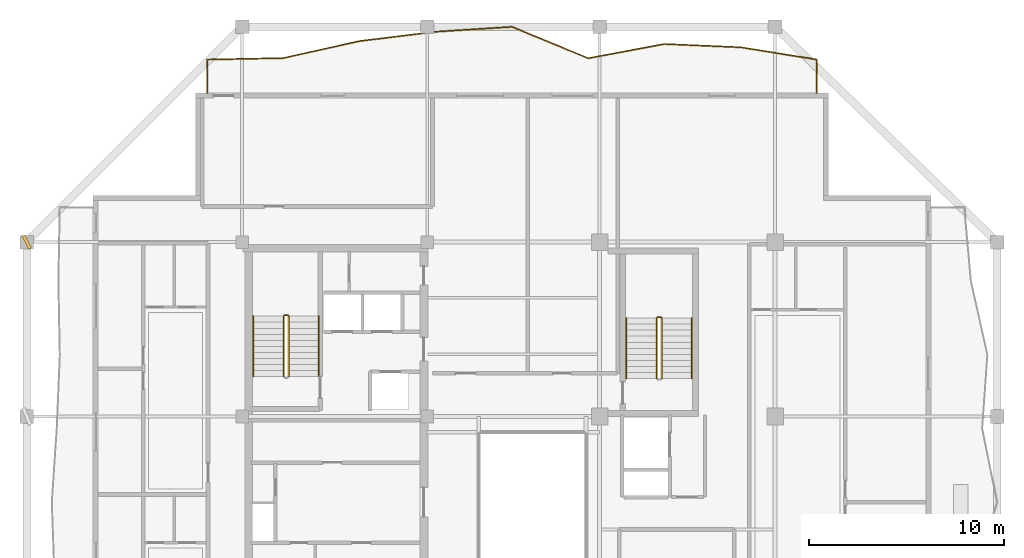
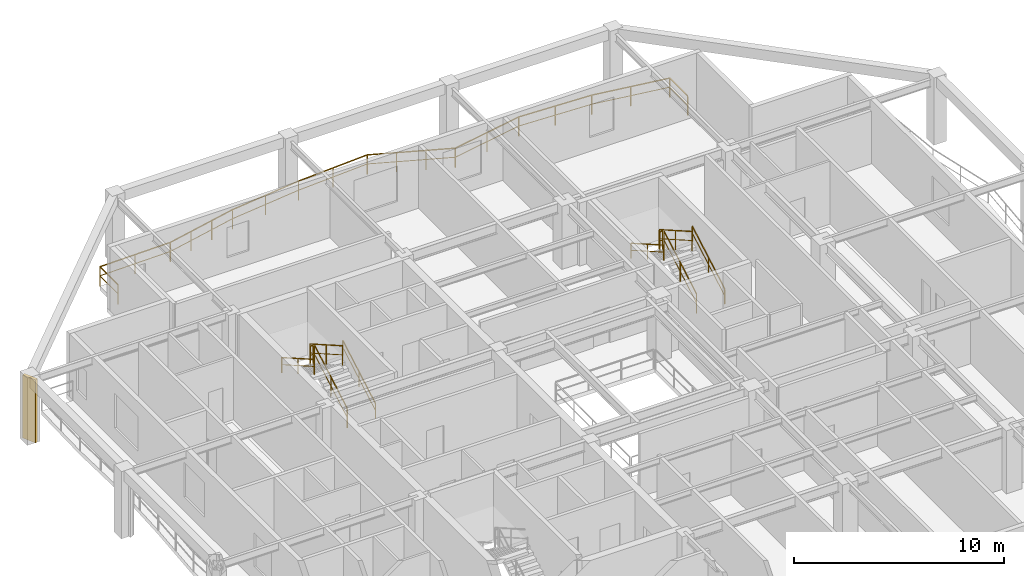
# One storey, part 10 of 11: 11 railings, 1 shading device.
"""IFC4 building model written with IfcOpenShell, lengths in metres."""

from ifc_helpers import new_model, si_unit, direction, frame, origin, origin_2d, place, context, subcontext, project, spatial, rectangle, extrude, material, type_object, element, save


model = new_model("IFC4")

# Units and contexts
model_context = context("Model", 3, precision=1e-05, world=origin(), true_north=direction((0.0, 1.0)))
body_context = subcontext(model_context, "Body", "Model", "MODEL_VIEW")
ifc_project = project(units=[si_unit("LENGTHUNIT", "METRE"), si_unit("AREAUNIT", "SQUARE_METRE"), si_unit("VOLUMEUNIT", "CUBIC_METRE"), si_unit("PLANEANGLEUNIT", "RADIAN"), si_unit("MASSUNIT", "GRAM", prefix="KILO")], contexts=[model_context])

# Site, building, storey
site_placement = place(None, origin())
site = spatial("IfcSite", under=ifc_project, at=site_placement, CompositionType="ELEMENT")
building_placement = place(site_placement, origin())
building = spatial("IfcBuilding", under=site, at=building_placement, Name="Kundavana Baori Tower", CompositionType="ELEMENT")
storey_placement = place(building_placement, frame((0.0, 0.0, 264.800048828125)))
storey = spatial("IfcBuildingStorey", under=building, at=storey_placement, Name="L65", CompositionType="ELEMENT", Elevation=264.800048828125)

# Railings
ifc_material_1 = material(Name="Architectural Patinated Bronze Metalwork")
railing_type_1 = type_object("IfcRailingType", Name="RL-BAL-1150", PredefinedType="BALUSTRADE", material=ifc_material_1)
railing_1_placement = place(storey_placement, frame((13.64990234375, 49.60009765625, 0.0)))
element("IfcRailing", 1, at=railing_1_placement, inside=storey, type_object=railing_type_1, Name="L65 Loggia Balcony Balustrade N", PredefinedType="BALUSTRADE", context=body_context, shape_type="SweptSolid", body=[
    extrude(rectangle(XDim=0.048095703125, YDim=0.048095703125, at=origin_2d()), frame((0.0, 0.0, 1.1259765625), z_axis=(0.0, 1.0, 0.0), x_axis=(-1.0, 0.0, 0.0)), (0.0, 0.0, 1.0), 1.719970703125),
    extrude(rectangle(XDim=0.03125, YDim=0.03125, at=origin_2d()), frame((0.0, 0.0, 0.597900390625), z_axis=(0.0, 1.0, 0.0), x_axis=(-1.0, 0.0, 0.0)), (0.0, 0.0, 1.0), 1.719970703125),
    extrude(rectangle(XDim=0.048095703125, YDim=0.048095703125, at=origin_2d()), frame((0.0, 1.719970703125, 1.1259765625), z_axis=(0.999801901844, 0.019903694876, 0.0), x_axis=(-0.019903694876, 0.999801901844, 0.0)), (0.0, 0.0, 1.0), 3.912841796875),
    extrude(rectangle(XDim=0.03125, YDim=0.03125, at=origin_2d()), frame((0.0, 1.719970703125, 0.597900390625), z_axis=(0.999801901844, 0.019903694876, 0.0), x_axis=(-0.019903694876, 0.999801901844, 0.0)), (0.0, 0.0, 1.0), 3.912841796875),
    extrude(rectangle(XDim=0.048095703125, YDim=0.048095703125, at=origin_2d()), frame((3.912109375, 1.7978515625, 1.1259765625), z_axis=(0.976055056129, 0.217523624937, 0.0), x_axis=(-0.217523624937, 0.976055056129, 0.0)), (0.0, 0.0, 1.0), 4.009033203125),
    extrude(rectangle(XDim=0.03125, YDim=0.03125, at=origin_2d()), frame((3.912109375, 1.7978515625, 0.597900390625), z_axis=(0.976055056129, 0.217523624937, 0.0), x_axis=(-0.217523624937, 0.976055056129, 0.0)), (0.0, 0.0, 1.0), 4.009033203125),
    extrude(rectangle(XDim=0.048095703125, YDim=0.048095703125, at=origin_2d()), frame((7.8251953125, 2.669921875, 1.1259765625), z_axis=(0.99259004777, 0.121511304282, 0.0), x_axis=(-0.121511304282, 0.99259004777, 0.0)), (0.0, 0.0, 1.0), 3.942138671875),
    extrude(rectangle(XDim=0.03125, YDim=0.03125, at=origin_2d()), frame((7.8251953125, 2.669921875, 0.597900390625), z_axis=(0.99259004777, 0.121511304282, 0.0), x_axis=(-0.121511304282, 0.99259004777, 0.0)), (0.0, 0.0, 1.0), 3.942138671875),
    extrude(rectangle(XDim=0.048095703125, YDim=0.048095703125, at=origin_2d()), frame((11.738037109375, 3.14892578125, 1.1259765625), z_axis=(0.99794847737, 0.064022156436, 0.0), x_axis=(-0.064022156436, 0.99794847737, 0.0)), (0.0, 0.0, 1.0), 3.920166015625),
    extrude(rectangle(XDim=0.03125, YDim=0.03125, at=origin_2d()), frame((11.738037109375, 3.14892578125, 0.597900390625), z_axis=(0.99794847737, 0.064022156436, 0.0), x_axis=(-0.064022156436, 0.99794847737, 0.0)), (0.0, 0.0, 1.0), 3.920166015625),
    extrude(rectangle(XDim=0.048095703125, YDim=0.048095703125, at=origin_2d()), frame((15.650146484375, 3.39990234375, 1.1259765625), z_axis=(0.92468526757, -0.380732394128, 0.0), x_axis=(0.380732394128, 0.92468526757, 0.0)), (0.0, 0.0, 1.0), 4.2314453125),
    extrude(rectangle(XDim=0.03125, YDim=0.03125, at=origin_2d()), frame((15.650146484375, 3.39990234375, 0.597900390625), z_axis=(0.92468526757, -0.380732394128, 0.0), x_axis=(0.380732394128, 0.92468526757, 0.0)), (0.0, 0.0, 1.0), 4.2314453125),
    extrude(rectangle(XDim=0.048095703125, YDim=0.048095703125, at=origin_2d()), frame((19.56298828125, 1.788818359375, 1.1259765625), z_axis=(0.982977583821, 0.183725528179, 0.0), x_axis=(-0.183725528179, 0.982977583821, 0.0)), (0.0, 0.0, 1.0), 3.979736328125),
    extrude(rectangle(XDim=0.03125, YDim=0.03125, at=origin_2d()), frame((19.56298828125, 1.788818359375, 0.597900390625), z_axis=(0.982977583821, 0.183725528179, 0.0), x_axis=(-0.183725528179, 0.982977583821, 0.0)), (0.0, 0.0, 1.0), 3.979736328125),
    extrude(rectangle(XDim=0.048095703125, YDim=0.048095703125, at=origin_2d()), frame((23.47509765625, 2.52001953125, 1.1259765625), z_axis=(0.9990558055, -0.043445339184, 0.0), x_axis=(0.043445339184, 0.9990558055, 0.0)), (0.0, 0.0, 1.0), 3.916748046875),
    extrude(rectangle(XDim=0.03125, YDim=0.03125, at=origin_2d()), frame((23.47509765625, 2.52001953125, 0.597900390625), z_axis=(0.9990558055, -0.043445339184, 0.0), x_axis=(0.043445339184, 0.9990558055, 0.0)), (0.0, 0.0, 1.0), 3.916748046875),
    extrude(rectangle(XDim=0.048095703125, YDim=0.048095703125, at=origin_2d()), frame((27.38818359375, 2.349853515625, 1.1259765625), z_axis=(0.987283267843, -0.158970906262, 0.0), x_axis=(0.158970906262, 0.987283267843, 0.0)), (0.0, 0.0, 1.0), 3.962158203125),
    extrude(rectangle(XDim=0.03125, YDim=0.03125, at=origin_2d()), frame((27.38818359375, 2.349853515625, 0.597900390625), z_axis=(0.987283267843, -0.158970906262, 0.0), x_axis=(0.158970906262, 0.987283267843, 0.0)), (0.0, 0.0, 1.0), 3.962158203125),
    extrude(rectangle(XDim=0.048095703125, YDim=0.048095703125, at=origin_2d()), frame((31.300048828125, 1.719970703125, 1.1259765625), z_axis=(0.0, -1.0, 0.0), x_axis=(1.0, 0.0, 0.0)), (0.0, 0.0, 1.0), 1.719970703125),
    extrude(rectangle(XDim=0.03125, YDim=0.03125, at=origin_2d()), frame((31.300048828125, 1.719970703125, 0.597900390625), z_axis=(0.0, -1.0, 0.0), x_axis=(1.0, 0.0, 0.0)), (0.0, 0.0, 1.0), 1.719970703125),
    extrude(rectangle(XDim=0.0419921875, YDim=0.0419921875, at=origin_2d()), origin(), (0.0, 0.0, 1.0), 1.101806640625),
    extrude(rectangle(XDim=0.0419921875, YDim=0.0419921875, at=origin_2d()), frame((0.0, 1.719970703125, 0.0)), (0.0, 0.0, 1.0), 1.101806640625),
    extrude(rectangle(XDim=0.0419921875, YDim=0.0419921875, at=origin_2d()), frame((1.9560546875, 1.7587890625, 0.0)), (0.0, 0.0, 1.0), 1.101806640625),
    extrude(rectangle(XDim=0.0419921875, YDim=0.0419921875, at=origin_2d()), frame((3.912109375, 1.7978515625, 0.0)), (0.0, 0.0, 1.0), 1.101806640625),
    extrude(rectangle(XDim=0.0419921875, YDim=0.0419921875, at=origin_2d()), frame((5.216552734375, 2.088623046875, 0.0)), (0.0, 0.0, 1.0), 1.101806640625),
    extrude(rectangle(XDim=0.0419921875, YDim=0.0419921875, at=origin_2d()), frame((6.520751953125, 2.379150390625, 0.0)), (0.0, 0.0, 1.0), 1.101806640625),
    extrude(rectangle(XDim=0.0419921875, YDim=0.0419921875, at=origin_2d()), frame((7.8251953125, 2.669921875, 0.0)), (0.0, 0.0, 1.0), 1.101806640625),
    extrude(rectangle(XDim=0.0419921875, YDim=0.0419921875, at=origin_2d()), frame((9.78173828125, 2.909423828125, 0.0)), (0.0, 0.0, 1.0), 1.101806640625),
    extrude(rectangle(XDim=0.0419921875, YDim=0.0419921875, at=origin_2d()), frame((11.738037109375, 3.14892578125, 0.0)), (0.0, 0.0, 1.0), 1.101806640625),
    extrude(rectangle(XDim=0.0419921875, YDim=0.0419921875, at=origin_2d()), frame((13.694091796875, 3.2744140625, 0.0)), (0.0, 0.0, 1.0), 1.101806640625),
    extrude(rectangle(XDim=0.0419921875, YDim=0.0419921875, at=origin_2d()), frame((15.650146484375, 3.39990234375, 0.0)), (0.0, 0.0, 1.0), 1.101806640625),
    extrude(rectangle(XDim=0.0419921875, YDim=0.0419921875, at=origin_2d()), frame((16.954345703125, 2.86279296875, 0.0)), (0.0, 0.0, 1.0), 1.101806640625),
    extrude(rectangle(XDim=0.0419921875, YDim=0.0419921875, at=origin_2d()), frame((18.2587890625, 2.325927734375, 0.0)), (0.0, 0.0, 1.0), 1.101806640625),
    extrude(rectangle(XDim=0.0419921875, YDim=0.0419921875, at=origin_2d()), frame((19.56298828125, 1.788818359375, 0.0)), (0.0, 0.0, 1.0), 1.101806640625),
    extrude(rectangle(XDim=0.0419921875, YDim=0.0419921875, at=origin_2d()), frame((21.51904296875, 2.154296875, 0.0)), (0.0, 0.0, 1.0), 1.101806640625),
    extrude(rectangle(XDim=0.0419921875, YDim=0.0419921875, at=origin_2d()), frame((23.47509765625, 2.52001953125, 0.0)), (0.0, 0.0, 1.0), 1.101806640625),
    extrude(rectangle(XDim=0.0419921875, YDim=0.0419921875, at=origin_2d()), frame((25.431640625, 2.43505859375, 0.0)), (0.0, 0.0, 1.0), 1.101806640625),
    extrude(rectangle(XDim=0.0419921875, YDim=0.0419921875, at=origin_2d()), frame((27.38818359375, 2.349853515625, 0.0)), (0.0, 0.0, 1.0), 1.101806640625),
    extrude(rectangle(XDim=0.0419921875, YDim=0.0419921875, at=origin_2d()), frame((29.34423828125, 2.034912109375, 0.0)), (0.0, 0.0, 1.0), 1.101806640625),
    extrude(rectangle(XDim=0.0419921875, YDim=0.0419921875, at=origin_2d()), frame((31.300048828125, 1.719970703125, 0.0)), (0.0, 0.0, 1.0), 1.101806640625),
    extrude(rectangle(XDim=0.0419921875, YDim=0.0419921875, at=origin_2d()), frame((31.300048828125, 0.0, 0.0)), (0.0, 0.0, 1.0), 1.101806640625),
])
ifc_material_2 = material(Name="Architectural Patinated Bronze Metalwork")
railing_type_2 = type_object("IfcRailingType", Name="RL-GRD-1150", PredefinedType="GUARDRAIL", material=ifc_material_2)
railing_2_placement = place(storey_placement, frame((17.840087890625, 35.050048828125, 0.17724609375)))
element("IfcRailing", 2, at=railing_2_placement, inside=storey, type_object=railing_type_2, Name="L65 ST2 stair guard 1", PredefinedType="GUARDRAIL", context=body_context, shape_type="SweptSolid", body=[
    extrude(rectangle(XDim=0.048095703125, YDim=0.048095703125, at=origin_2d()), frame((0.0, 0.0, 1.1259765625), z_axis=(0.0, 0.868079009454, 0.496426060301), x_axis=(-1.0, 0.0, 0.0)), (0.0, 0.0, 1.0), 3.571044921875),
    extrude(rectangle(XDim=0.03125, YDim=0.03125, at=origin_2d()), frame((0.0, 0.0, 0.597900390625), z_axis=(0.0, 0.868079009454, 0.496426060301), x_axis=(-1.0, 0.0, 0.0)), (0.0, 0.0, 1.0), 3.571044921875),
    extrude(rectangle(XDim=0.0419921875, YDim=0.0419921875, at=origin_2d()), origin(), (0.0, 0.0, 1.0), 1.101806640625),
    extrude(rectangle(XDim=0.0419921875, YDim=0.0419921875, at=origin_2d()), frame((0.0, 1.5498046875, 0.88623046875)), (0.0, 0.0, 1.0), 1.101806640625),
    extrude(rectangle(XDim=0.0419921875, YDim=0.0419921875, at=origin_2d()), frame((0.0, 3.099853515625, 1.772705078125)), (0.0, 0.0, 1.0), 1.101806640625),
])
railing_3_placement = place(storey_placement, frame((17.7900390625, 38.199951171875, 1.949951171875)))
element("IfcRailing", 3, at=railing_3_placement, inside=storey, type_object=railing_type_2, Name="L65 ST2 stair guard 2", PredefinedType="GUARDRAIL", context=body_context, shape_type="SweptSolid", body=[
    extrude(rectangle(XDim=0.048095703125, YDim=0.048095703125, at=origin_2d()), frame((0.0, 0.0, 1.1259765625), z_axis=(-1.0, 0.0, 0.0), x_axis=(0.0, -1.0, 0.0)), (0.0, 0.0, 1.0), 0.16015625),
    extrude(rectangle(XDim=0.03125, YDim=0.03125, at=origin_2d()), frame((0.0, 0.0, 0.597900390625), z_axis=(-1.0, 0.0, 0.0), x_axis=(0.0, -1.0, 0.0)), (0.0, 0.0, 1.0), 0.16015625),
    extrude(rectangle(XDim=0.0419921875, YDim=0.0419921875, at=origin_2d()), origin(), (0.0, 0.0, 1.0), 1.101806640625),
    extrude(rectangle(XDim=0.0419921875, YDim=0.0419921875, at=origin_2d()), frame((-0.16015625, 0.0, 0.0)), (0.0, 0.0, 1.0), 1.101806640625),
])
railing_4_placement = place(storey_placement, frame((17.580078125, 38.14990234375, 2.127197265625)))
element("IfcRailing", 4, at=railing_4_placement, inside=storey, type_object=railing_type_2, Name="L65 ST2 stair guard 3", PredefinedType="GUARDRAIL", context=body_context, shape_type="SweptSolid", body=[
    extrude(rectangle(XDim=0.048095703125, YDim=0.048095703125, at=origin_2d()), frame((0.0, 0.0, 1.1259765625), z_axis=(0.0, -0.868079009454, 0.496426060301), x_axis=(1.0, 0.0, 0.0)), (0.0, 0.0, 1.0), 3.571044921875),
    extrude(rectangle(XDim=0.03125, YDim=0.03125, at=origin_2d()), frame((0.0, 0.0, 0.597900390625), z_axis=(0.0, -0.868079009454, 0.496426060301), x_axis=(1.0, 0.0, 0.0)), (0.0, 0.0, 1.0), 3.571044921875),
    extrude(rectangle(XDim=0.0419921875, YDim=0.0419921875, at=origin_2d()), origin(), (0.0, 0.0, 1.0), 1.101806640625),
    extrude(rectangle(XDim=0.0419921875, YDim=0.0419921875, at=origin_2d()), frame((0.0, -1.5498046875, 0.88623046875)), (0.0, 0.0, 1.0), 1.101806640625),
    extrude(rectangle(XDim=0.0419921875, YDim=0.0419921875, at=origin_2d()), frame((0.0, -3.099853515625, 1.772705078125)), (0.0, 0.0, 1.0), 1.101806640625),
])
railing_5_placement = place(storey_placement, frame((36.97998046875, 34.949951171875, 0.17724609375)))
element("IfcRailing", 5, at=railing_5_placement, inside=storey, type_object=railing_type_2, Name="L65 ST3 stair guard 1", PredefinedType="GUARDRAIL", context=body_context, shape_type="SweptSolid", body=[
    extrude(rectangle(XDim=0.048095703125, YDim=0.048095703125, at=origin_2d()), frame((0.0, 0.0, 1.1259765625), z_axis=(0.0, 0.868095856688, 0.496396599103), x_axis=(-1.0, 0.0, 0.0)), (0.0, 0.0, 1.0), 3.571044921875),
    extrude(rectangle(XDim=0.03125, YDim=0.03125, at=origin_2d()), frame((0.0, 0.0, 0.597900390625), z_axis=(0.0, 0.868095856688, 0.496396599103), x_axis=(-1.0, 0.0, 0.0)), (0.0, 0.0, 1.0), 3.571044921875),
    extrude(rectangle(XDim=0.0419921875, YDim=0.0419921875, at=origin_2d()), origin(), (0.0, 0.0, 1.0), 1.101806640625),
    extrude(rectangle(XDim=0.0419921875, YDim=0.0419921875, at=origin_2d()), frame((0.0, 1.550048828125, 0.88623046875)), (0.0, 0.0, 1.0), 1.101806640625),
    extrude(rectangle(XDim=0.0419921875, YDim=0.0419921875, at=origin_2d()), frame((0.0, 3.10009765625, 1.772705078125)), (0.0, 0.0, 1.0), 1.101806640625),
])
railing_6_placement = place(storey_placement, frame((36.929931640625, 38.10009765625, 1.949951171875)))
element("IfcRailing", 6, at=railing_6_placement, inside=storey, type_object=railing_type_2, Name="L65 ST3 stair guard 2", PredefinedType="GUARDRAIL", context=body_context, shape_type="SweptSolid", body=[
    extrude(rectangle(XDim=0.048095703125, YDim=0.048095703125, at=origin_2d()), frame((0.0, 0.0, 1.1259765625), z_axis=(-1.0, 0.0, 0.0), x_axis=(0.0, -1.0, 0.0)), (0.0, 0.0, 1.0), 0.159912109375),
    extrude(rectangle(XDim=0.03125, YDim=0.03125, at=origin_2d()), frame((0.0, 0.0, 0.597900390625), z_axis=(-1.0, 0.0, 0.0), x_axis=(0.0, -1.0, 0.0)), (0.0, 0.0, 1.0), 0.159912109375),
    extrude(rectangle(XDim=0.0419921875, YDim=0.0419921875, at=origin_2d()), origin(), (0.0, 0.0, 1.0), 1.101806640625),
    extrude(rectangle(XDim=0.0419921875, YDim=0.0419921875, at=origin_2d()), frame((-0.159912109375, 0.0, 0.0)), (0.0, 0.0, 1.0), 1.101806640625),
])
railing_7_placement = place(storey_placement, frame((36.719970703125, 38.050048828125, 2.127197265625)))
element("IfcRailing", 7, at=railing_7_placement, inside=storey, type_object=railing_type_2, Name="L65 ST3 stair guard 3", PredefinedType="GUARDRAIL", context=body_context, shape_type="SweptSolid", body=[
    extrude(rectangle(XDim=0.048095703125, YDim=0.048095703125, at=origin_2d()), frame((0.0, 0.0, 1.1259765625), z_axis=(0.0, -0.868095856688, 0.496396599103), x_axis=(1.0, 0.0, 0.0)), (0.0, 0.0, 1.0), 3.571044921875),
    extrude(rectangle(XDim=0.03125, YDim=0.03125, at=origin_2d()), frame((0.0, 0.0, 0.597900390625), z_axis=(0.0, -0.868095856688, 0.496396599103), x_axis=(1.0, 0.0, 0.0)), (0.0, 0.0, 1.0), 3.571044921875),
    extrude(rectangle(XDim=0.0419921875, YDim=0.0419921875, at=origin_2d()), origin(), (0.0, 0.0, 1.0), 1.101806640625),
    extrude(rectangle(XDim=0.0419921875, YDim=0.0419921875, at=origin_2d()), frame((0.0, -1.550048828125, 0.88623046875)), (0.0, 0.0, 1.0), 1.101806640625),
    extrude(rectangle(XDim=0.0419921875, YDim=0.0419921875, at=origin_2d()), frame((0.0, -3.10009765625, 1.772705078125)), (0.0, 0.0, 1.0), 1.101806640625),
])
ifc_material_3 = material(Name="Architectural Patinated Bronze Metalwork")
railing_type_3 = type_object("IfcRailingType", Name="RL-HND-920", PredefinedType="HANDRAIL", material=ifc_material_3)
railing_8_placement = place(storey_placement, frame((19.389892578125, 35.050048828125, 0.17724609375)))
element("IfcRailing", 8, at=railing_8_placement, inside=storey, type_object=railing_type_3, Name="L65 ST2 stair handrail 1", PredefinedType="HANDRAIL", context=body_context, shape_type="SweptSolid", body=[
    extrude(rectangle(XDim=0.048095703125, YDim=0.048095703125, at=origin_2d()), frame((0.0, 0.0, 0.8759765625), z_axis=(0.0, 0.868079009454, 0.496426060301), x_axis=(-1.0, 0.0, 0.0)), (0.0, 0.0, 1.0), 3.571044921875),
    extrude(rectangle(XDim=0.03125, YDim=0.03125, at=origin_2d()), frame((0.0, 0.0, 0.468017578125), z_axis=(0.0, 0.868079009454, 0.496426060301), x_axis=(-1.0, 0.0, 0.0)), (0.0, 0.0, 1.0), 3.571044921875),
    extrude(rectangle(XDim=0.0419921875, YDim=0.0419921875, at=origin_2d()), origin(), (0.0, 0.0, 1.0), 0.851806640625),
    extrude(rectangle(XDim=0.0419921875, YDim=0.0419921875, at=origin_2d()), frame((0.0, 1.5498046875, 0.88623046875)), (0.0, 0.0, 1.0), 0.851806640625),
    extrude(rectangle(XDim=0.0419921875, YDim=0.0419921875, at=origin_2d()), frame((0.0, 3.099853515625, 1.772705078125)), (0.0, 0.0, 1.0), 0.851806640625),
])
railing_9_placement = place(storey_placement, frame((16.030029296875, 38.14990234375, 2.127197265625)))
element("IfcRailing", 9, at=railing_9_placement, inside=storey, type_object=railing_type_3, Name="L65 ST2 stair handrail 2", PredefinedType="HANDRAIL", context=body_context, shape_type="SweptSolid", body=[
    extrude(rectangle(XDim=0.048095703125, YDim=0.048095703125, at=origin_2d()), frame((0.0, 0.0, 0.8759765625), z_axis=(0.0, -0.868079009454, 0.496426060301), x_axis=(1.0, 0.0, 0.0)), (0.0, 0.0, 1.0), 3.571044921875),
    extrude(rectangle(XDim=0.03125, YDim=0.03125, at=origin_2d()), frame((0.0, 0.0, 0.468017578125), z_axis=(0.0, -0.868079009454, 0.496426060301), x_axis=(1.0, 0.0, 0.0)), (0.0, 0.0, 1.0), 3.571044921875),
    extrude(rectangle(XDim=0.0419921875, YDim=0.0419921875, at=origin_2d()), origin(), (0.0, 0.0, 1.0), 0.851806640625),
    extrude(rectangle(XDim=0.0419921875, YDim=0.0419921875, at=origin_2d()), frame((0.0, -1.5498046875, 0.88623046875)), (0.0, 0.0, 1.0), 0.851806640625),
    extrude(rectangle(XDim=0.0419921875, YDim=0.0419921875, at=origin_2d()), frame((0.0, -3.099853515625, 1.772705078125)), (0.0, 0.0, 1.0), 0.851806640625),
])
railing_10_placement = place(storey_placement, frame((38.530029296875, 34.949951171875, 0.17724609375)))
element("IfcRailing", 10, at=railing_10_placement, inside=storey, type_object=railing_type_3, Name="L65 ST3 stair handrail 1", PredefinedType="HANDRAIL", context=body_context, shape_type="SweptSolid", body=[
    extrude(rectangle(XDim=0.048095703125, YDim=0.048095703125, at=origin_2d()), frame((0.0, 0.0, 0.8759765625), z_axis=(0.0, 0.868095856688, 0.496396599103), x_axis=(-1.0, 0.0, 0.0)), (0.0, 0.0, 1.0), 3.571044921875),
    extrude(rectangle(XDim=0.03125, YDim=0.03125, at=origin_2d()), frame((0.0, 0.0, 0.468017578125), z_axis=(0.0, 0.868095856688, 0.496396599103), x_axis=(-1.0, 0.0, 0.0)), (0.0, 0.0, 1.0), 3.571044921875),
    extrude(rectangle(XDim=0.0419921875, YDim=0.0419921875, at=origin_2d()), origin(), (0.0, 0.0, 1.0), 0.851806640625),
    extrude(rectangle(XDim=0.0419921875, YDim=0.0419921875, at=origin_2d()), frame((0.0, 1.550048828125, 0.88623046875)), (0.0, 0.0, 1.0), 0.851806640625),
    extrude(rectangle(XDim=0.0419921875, YDim=0.0419921875, at=origin_2d()), frame((0.0, 3.10009765625, 1.772705078125)), (0.0, 0.0, 1.0), 0.851806640625),
])
railing_11_placement = place(storey_placement, frame((35.169921875, 38.050048828125, 2.127197265625)))
element("IfcRailing", 11, at=railing_11_placement, inside=storey, type_object=railing_type_3, Name="L65 ST3 stair handrail 2", PredefinedType="HANDRAIL", context=body_context, shape_type="SweptSolid", body=[
    extrude(rectangle(XDim=0.048095703125, YDim=0.048095703125, at=origin_2d()), frame((0.0, 0.0, 0.8759765625), z_axis=(0.0, -0.868095856688, 0.496396599103), x_axis=(1.0, 0.0, 0.0)), (0.0, 0.0, 1.0), 3.571044921875),
    extrude(rectangle(XDim=0.03125, YDim=0.03125, at=origin_2d()), frame((0.0, 0.0, 0.468017578125), z_axis=(0.0, -0.868095856688, 0.496396599103), x_axis=(1.0, 0.0, 0.0)), (0.0, 0.0, 1.0), 3.571044921875),
    extrude(rectangle(XDim=0.0419921875, YDim=0.0419921875, at=origin_2d()), origin(), (0.0, 0.0, 1.0), 0.851806640625),
    extrude(rectangle(XDim=0.0419921875, YDim=0.0419921875, at=origin_2d()), frame((0.0, -1.550048828125, 0.88623046875)), (0.0, 0.0, 1.0), 0.851806640625),
    extrude(rectangle(XDim=0.0419921875, YDim=0.0419921875, at=origin_2d()), frame((0.0, -3.10009765625, 1.772705078125)), (0.0, 0.0, 1.0), 0.851806640625),
])

# Shading device
ifc_material_4 = material(Name="Red-Buff Dholpur Sandstone Cladding on Concrete C40/50", Category="masonry")
shading_device_type = type_object("IfcShadingDeviceType", Name="SHD-FIN-750", PredefinedType="JALOUSIE", material=ifc_material_4)
shading_device_placement = place(storey_placement, frame((4.39990234375, 41.949951171875, 0.0), z_axis=(0.0, 0.0, 1.0), x_axis=(0.900166792241, 0.435545343388, 0.0)))
element("IfcShadingDevice", 12, at=shading_device_placement, inside=storey, type_object=shading_device_type, Name="L65 Sweeping Dholpur Sandstone Facade Fin 8", PredefinedType="JALOUSIE", context=body_context, shape_type="SweptSolid", body=[
    extrude(rectangle(XDim=0.159912109375, YDim=0.75, at=origin_2d()), origin(), (0.0, 0.0, 1.0), 3.659912109375),
])

save(model, "model.ifc")
